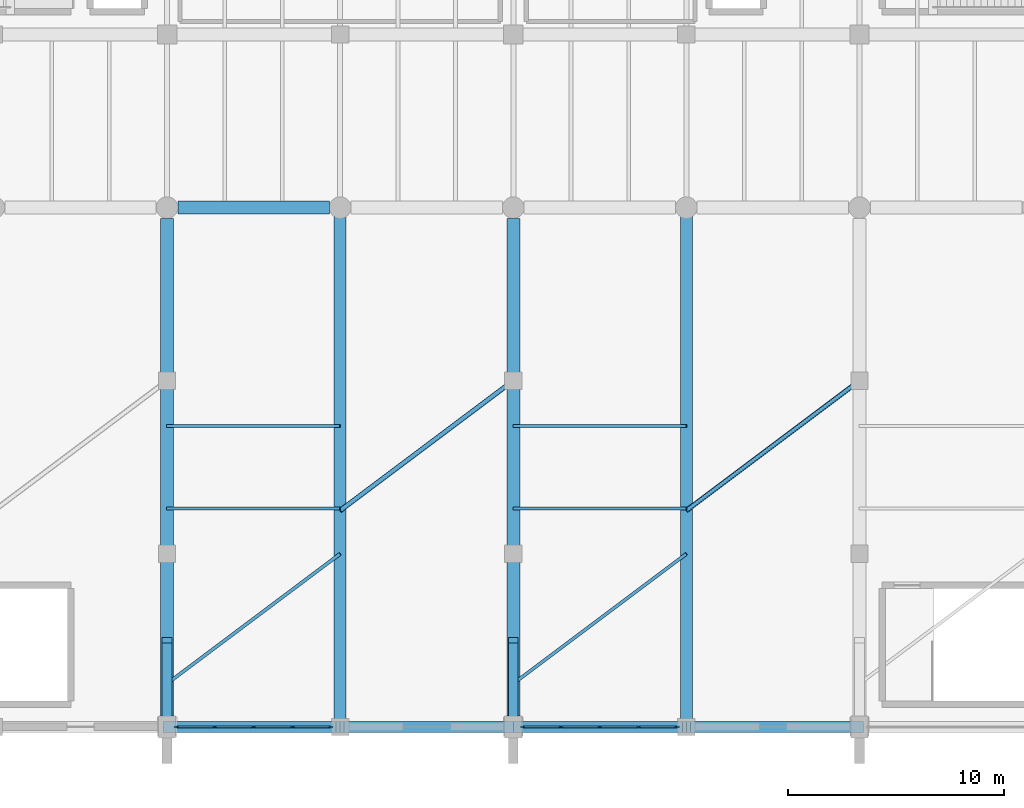
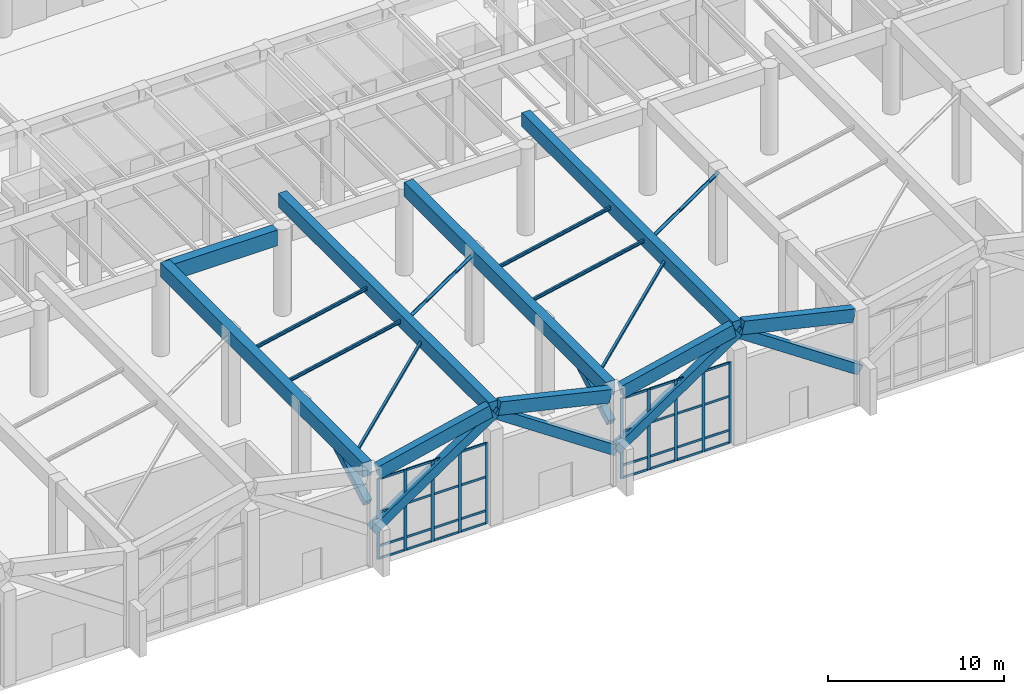
# One storey, part 13 of 51: 56 members, 9 beams, 2 elements without a shape of their own.
"""IFC4 building model written with IfcOpenShell, lengths in metres."""

from ifc_helpers import new_model, si_unit, direction, frame, origin, origin_2d, place, context, subcontext, project, spatial, rectangle, hollow_rectangle, hollow_circle, i_section, extrude, material, layer, layer_set, material_profile, profile_set, type_object, element, aggregate, save


model = new_model("IFC4")

# Units and contexts
model_context = context("Model", 3, precision=1e-05, world=origin(), true_north=direction((0.0, 1.0)))
body_context = subcontext(model_context, "Body", "Model", "MODEL_VIEW")
ifc_project = project(units=[si_unit("LENGTHUNIT", "METRE"), si_unit("AREAUNIT", "SQUARE_METRE"), si_unit("VOLUMEUNIT", "CUBIC_METRE"), si_unit("PLANEANGLEUNIT", "RADIAN"), si_unit("MASSUNIT", "GRAM", prefix="KILO")], contexts=[model_context])

# Site, building, storey
site_placement = place(None, origin())
site = spatial("IfcSite", under=ifc_project, at=site_placement, CompositionType="ELEMENT")
building_placement = place(site_placement, origin())
building = spatial("IfcBuilding", under=site, at=building_placement, Name="Varnela Railside Interchange", CompositionType="ELEMENT")
storey_placement = place(building_placement, origin())
storey = spatial("IfcBuildingStorey", under=building, at=storey_placement, Name="L00", CompositionType="ELEMENT", Elevation=0.0)

# Beams
ifc_material_1 = material(Name="Concrete C40", Category="concrete")
ifc_material_profile_1 = material_profile(ifc_material_1, rectangle(XDim=0.5, YDim=0.89990234375, at=origin_2d()), Name="RC 500x900")
ifc_profile_set_1 = profile_set([ifc_material_profile_1], Name="Concrete C40")
beam_type_1 = type_object("IfcBeamType", Name="Canopy Edge Chord Beam B-03", PredefinedType="BEAM", material=ifc_profile_set_1)
for number, where, z_axis, x_axis, name in (
    (1, (68.39990234375, 6.0, 6.14990234375), (0.974105883285, 0.0, 0.226092300067), (0.0, 1.0, 0.0), "Canopy Edge Chord Beam B-03 (L00) (BM-1396)"),
    (2, (76.27490234375, 6.0, 7.85009765625), (0.974105883285, 0.0, -0.226092300067), (0.0, 1.0, 0.0), "Canopy Edge Chord Beam B-03 (L00) (BM-1397)"),
    (3, (84.39990234375, 6.0, 6.14990234375), (0.974105883285, 0.0, 0.226092300067), (0.0, 1.0, 0.0), "Canopy Edge Chord Beam B-03 (L00) (BM-1398)"),
    (4, (92.27490234375, 6.0, 7.85009765625), (0.974105883285, 0.0, -0.226092300067), (0.0, 1.0, 0.0), "Canopy Edge Chord Beam B-03 (L00) (BM-1399)"),
):
    element("IfcBeam", number, at=place(storey_placement, frame(where, z_axis=z_axis, x_axis=x_axis)), inside=storey, type_object=beam_type_1, Name=name, PredefinedType="BEAM", context=body_context, shape_type="SweptSolid", body=[
        extrude(rectangle(XDim=0.5, YDim=0.89990234375, at=origin_2d()), origin(), (0.0, 0.0, 1.0), 7.52001953125),
    ])

# Members
ifc_material_2 = material(Name="Steel AR 350 (350 MPa)", Category="steel")
ifc_material_profile_2 = material_profile(ifc_material_2, hollow_circle(Radius=0.109619140625, WallThickness=0.012451171875, at=origin_2d()), Name="CHS 219.1x12.5")
ifc_profile_set_2 = profile_set([ifc_material_profile_2], Name="Steel AR 350 (350 MPa)")
member_type_1 = type_object("IfcMemberType", Name="Canopy Inclined Tie Strut BR-13", PredefinedType="STRUT", material=ifc_profile_set_2)
for number, where, z_axis, x_axis, name in (
    (5, (76.0, 16.0, 7.824951171875), (0.788358644975, 0.591268983731, -0.169975397545), (-0.6, 0.8, 0.0), "Canopy Inclined Tie Strut BR-13 (L00) (MB-0025)"),
    (6, (92.0, 16.0, 7.824951171875), (0.788358644975, 0.591268983731, -0.169975397545), (-0.6, 0.8, 0.0), "Canopy Inclined Tie Strut BR-13 (L00) (MB-0026)"),
):
    element("IfcMember", number, at=place(storey_placement, frame(where, z_axis=z_axis, x_axis=x_axis)), inside=storey, type_object=member_type_1, Name=name, PredefinedType="STRUT", context=body_context, shape_type="SweptSolid", body=[
        extrude(hollow_circle(Radius=0.109619140625, WallThickness=0.012451171875, at=origin_2d()), origin(), (0.0, 0.0, 1.0), 10.147705078125),
    ])
ifc_material_profile_3 = material_profile(ifc_material_2, hollow_rectangle(XDim=0.14990234375, YDim=0.14990234375, WallThickness=0.010009765625, at=origin_2d()), Name="HSS 150x150x10")
ifc_profile_set_3 = profile_set([ifc_material_profile_3], Name="Steel AR 350 (350 MPa)")
member_type_2 = type_object("IfcMemberType", Name="Canopy Plan Wind Brace BR-08", PredefinedType="BRACE", material=ifc_profile_set_3)
for number, where, z_axis, x_axis, name in (
    (7, (68.0, 8.0, 6.10009765625), (0.788358644975, 0.591268983731, 0.169975397545), (-0.6, 0.8, 0.0), "Canopy Plan Wind Brace BR-08 (L00) (MB-0031)"),
    (8, (84.0, 8.0, 6.10009765625), (0.788358644975, 0.591268983731, 0.169975397545), (-0.6, 0.8, 0.0), "Canopy Plan Wind Brace BR-08 (L00) (MB-0032)"),
):
    element("IfcMember", number, at=place(storey_placement, frame(where, z_axis=z_axis, x_axis=x_axis)), inside=storey, type_object=member_type_2, Name=name, PredefinedType="BRACE", context=body_context, shape_type="SweptSolid", body=[
        extrude(hollow_rectangle(XDim=0.14990234375, YDim=0.14990234375, WallThickness=0.010009765625, at=origin_2d()), origin(), (0.0, 0.0, 1.0), 10.147705078125),
    ])

# Beams
ifc_material_profile_4 = material_profile(ifc_material_1, rectangle(XDim=0.550048828125, YDim=0.949951171875, at=origin_2d()), Name="RC 550x950")
ifc_profile_set_4 = profile_set([ifc_material_profile_4], Name="Concrete C40")
beam_type_2 = type_object("IfcBeamType", Name="Canopy Ridge Girder B-04", PredefinedType="BEAM", material=ifc_profile_set_4)
for number, where, z_axis, x_axis, name in (
    (9, (76.0, 6.0, 7.824951171875), (0.0, 1.0, 0.0), (-1.0, 0.0, 0.0), "Canopy Ridge Girder B-04 (L00) (BM-1406)"),
    (10, (92.0, 6.0, 7.824951171875), (0.0, 1.0, 0.0), (-1.0, 0.0, 0.0), "Canopy Ridge Girder B-04 (L00) (BM-1407)"),
):
    element("IfcBeam", number, at=place(storey_placement, frame(where, z_axis=z_axis, x_axis=x_axis)), inside=storey, type_object=beam_type_2, Name=name, PredefinedType="BEAM", context=body_context, shape_type="SweptSolid", body=[
        extrude(rectangle(XDim=0.550048828125, YDim=0.949951171875, at=origin_2d()), origin(), (0.0, 0.0, 1.0), 24.0),
    ])
ifc_material_profile_5 = material_profile(ifc_material_1, rectangle(XDim=0.60009765625, YDim=1.0, at=origin_2d()), Name="RC 600x1000")
ifc_profile_set_5 = profile_set([ifc_material_profile_5], Name="Concrete C40")
beam_type_3 = type_object("IfcBeamType", Name="Canopy Valley Girder B-05", PredefinedType="BEAM", material=ifc_profile_set_5)
for number, where, z_axis, x_axis, name in (
    (11, (68.0, 6.5, 6.10009765625), (0.0, 1.0, 0.0), (-1.0, 0.0, 0.0), "Canopy Valley Girder B-05 (L00) (BM-1412)"),
    (12, (84.0, 6.5, 6.10009765625), (0.0, 1.0, 0.0), (-1.0, 0.0, 0.0), "Canopy Valley Girder B-05 (L00) (BM-1413)"),
):
    element("IfcBeam", number, at=place(storey_placement, frame(where, z_axis=z_axis, x_axis=x_axis)), inside=storey, type_object=beam_type_3, Name=name, PredefinedType="BEAM", context=body_context, shape_type="SweptSolid", body=[
        extrude(rectangle(XDim=0.60009765625, YDim=1.0, at=origin_2d()), origin(), (0.0, 0.0, 1.0), 23.0),
    ])
ifc_material_3 = material(Name="Concrete C50", Category="concrete")
ifc_material_profile_6 = material_profile(ifc_material_3, rectangle(XDim=0.60009765625, YDim=1.10009765625, at=origin_2d()), Name="RC 600x1100")
ifc_profile_set_6 = profile_set([ifc_material_profile_6], Name="Concrete C50")
beam_type_4 = type_object("IfcBeamType", Name="Concourse RC Girder B-06", PredefinedType="BEAM", material=ifc_profile_set_6)
beam_placement = place(storey_placement, frame((68.5, 30.0, 5.469970703125), z_axis=(1.0, 0.0, 0.0), x_axis=(0.0, 1.0, 0.0)))
element("IfcBeam", 13, at=beam_placement, inside=storey, type_object=beam_type_4, Name="Concourse RC Girder B-06 (L00) (BM-1197)", PredefinedType="BEAM", context=body_context, shape_type="SweptSolid", body=[
    extrude(rectangle(XDim=0.60009765625, YDim=1.10009765625, at=origin_2d()), origin(), (0.0, 0.0, 1.0), 7.0),
])

# Curtain wall, members
ifc_material_4 = material(Name="Aluminium 6063-T6", Category="aluminium")
ifc_layer = layer(ifc_material_4, 0.035888671875)
ifc_layer_set = layer_set([ifc_layer], Name="Aluminium 6063-T6")
curtain_wall_type = type_object("IfcCurtainWallType", Name="Arrival Forecourt Portal Curtain Wall CW-04", PredefinedType="USERDEFINED", material=ifc_layer_set)
curtain_wall_1_placement = place(storey_placement, origin())
curtain_wall_1 = element("IfcCurtainWall", 14, at=curtain_wall_1_placement, inside=storey, type_object=curtain_wall_type, Name="Curtain Wall CW-04 (L00) (CW-013)", ObjectType="CURTAIN WALL", PredefinedType="USERDEFINED")
ifc_material_profile_7 = material_profile(ifc_material_4, rectangle(XDim=0.074951171875, YDim=0.199951171875, at=origin_2d()), Name="ALU 75x200")
ifc_profile_set_7 = profile_set([ifc_material_profile_7], Name="Aluminium 6063-T6")
member_type_3 = type_object("IfcMemberType", Name="Portal Heavy Mullion ML-04", PredefinedType="MULLION", material=ifc_profile_set_7)
member_1_placement = place(storey_placement, frame((91.5625, 6.0, 0.0), z_axis=(0.0, 0.0, 1.0), x_axis=(0.0, -1.0, 0.0)))
member_1 = element("IfcMember", 15, at=member_1_placement, type_object=member_type_3, Name="CW-04 mullion 1", PredefinedType="MULLION", context=body_context, shape_type="SweptSolid", body=[
    extrude(rectangle(XDim=0.074951171875, YDim=0.199951171875, at=origin_2d()), origin(), (0.0, 0.0, 1.0), 5.60009765625),
])
member_2_placement = place(storey_placement, frame((89.800048828125, 6.0, 0.0), z_axis=(0.0, 0.0, 1.0), x_axis=(0.0, -1.0, 0.0)))
member_2 = element("IfcMember", 16, at=member_2_placement, type_object=member_type_3, Name="CW-04 mullion 2", PredefinedType="MULLION", context=body_context, shape_type="SweptSolid", body=[
    extrude(rectangle(XDim=0.074951171875, YDim=0.199951171875, at=origin_2d()), origin(), (0.0, 0.0, 1.0), 5.60009765625),
])
member_3_placement = place(storey_placement, frame((88.0, 6.0, 0.0), z_axis=(0.0, 0.0, 1.0), x_axis=(0.0, -1.0, 0.0)))
member_3 = element("IfcMember", 17, at=member_3_placement, type_object=member_type_3, Name="CW-04 mullion 3", PredefinedType="MULLION", context=body_context, shape_type="SweptSolid", body=[
    extrude(rectangle(XDim=0.074951171875, YDim=0.199951171875, at=origin_2d()), origin(), (0.0, 0.0, 1.0), 5.60009765625),
])
member_4_placement = place(storey_placement, frame((86.199951171875, 6.0, 0.0), z_axis=(0.0, 0.0, 1.0), x_axis=(0.0, -1.0, 0.0)))
member_4 = element("IfcMember", 18, at=member_4_placement, type_object=member_type_3, Name="CW-04 mullion 4", PredefinedType="MULLION", context=body_context, shape_type="SweptSolid", body=[
    extrude(rectangle(XDim=0.074951171875, YDim=0.199951171875, at=origin_2d()), origin(), (0.0, 0.0, 1.0), 5.60009765625),
])
member_5_placement = place(storey_placement, frame((84.4375, 6.0, 0.0), z_axis=(0.0, 0.0, 1.0), x_axis=(0.0, -1.0, 0.0)))
member_5 = element("IfcMember", 19, at=member_5_placement, type_object=member_type_3, Name="CW-04 mullion 5", PredefinedType="MULLION", context=body_context, shape_type="SweptSolid", body=[
    extrude(rectangle(XDim=0.074951171875, YDim=0.199951171875, at=origin_2d()), origin(), (0.0, 0.0, 1.0), 5.60009765625),
])

curtain_wall_2_placement = place(storey_placement, origin())
curtain_wall_2 = element("IfcCurtainWall", 20, at=curtain_wall_2_placement, inside=storey, type_object=curtain_wall_type, Name="Curtain Wall CW-04 (L00) (CW-014)", ObjectType="CURTAIN WALL", PredefinedType="USERDEFINED")
member_6_placement = place(storey_placement, frame((75.5625, 6.0, 0.0), z_axis=(0.0, 0.0, 1.0), x_axis=(0.0, -1.0, 0.0)))
member_6 = element("IfcMember", 21, at=member_6_placement, type_object=member_type_3, Name="CW-04 mullion 1", PredefinedType="MULLION", context=body_context, shape_type="SweptSolid", body=[
    extrude(rectangle(XDim=0.074951171875, YDim=0.199951171875, at=origin_2d()), origin(), (0.0, 0.0, 1.0), 5.60009765625),
])
member_7_placement = place(storey_placement, frame((73.800048828125, 6.0, 0.0), z_axis=(0.0, 0.0, 1.0), x_axis=(0.0, -1.0, 0.0)))
member_7 = element("IfcMember", 22, at=member_7_placement, type_object=member_type_3, Name="CW-04 mullion 2", PredefinedType="MULLION", context=body_context, shape_type="SweptSolid", body=[
    extrude(rectangle(XDim=0.074951171875, YDim=0.199951171875, at=origin_2d()), origin(), (0.0, 0.0, 1.0), 5.60009765625),
])
member_8_placement = place(storey_placement, frame((72.0, 6.0, 0.0), z_axis=(0.0, 0.0, 1.0), x_axis=(0.0, -1.0, 0.0)))
member_8 = element("IfcMember", 23, at=member_8_placement, type_object=member_type_3, Name="CW-04 mullion 3", PredefinedType="MULLION", context=body_context, shape_type="SweptSolid", body=[
    extrude(rectangle(XDim=0.074951171875, YDim=0.199951171875, at=origin_2d()), origin(), (0.0, 0.0, 1.0), 5.60009765625),
])
member_9_placement = place(storey_placement, frame((70.199951171875, 6.0, 0.0), z_axis=(0.0, 0.0, 1.0), x_axis=(0.0, -1.0, 0.0)))
member_9 = element("IfcMember", 24, at=member_9_placement, type_object=member_type_3, Name="CW-04 mullion 4", PredefinedType="MULLION", context=body_context, shape_type="SweptSolid", body=[
    extrude(rectangle(XDim=0.074951171875, YDim=0.199951171875, at=origin_2d()), origin(), (0.0, 0.0, 1.0), 5.60009765625),
])
member_10_placement = place(storey_placement, frame((68.4375, 6.0, 0.0), z_axis=(0.0, 0.0, 1.0), x_axis=(0.0, -1.0, 0.0)))
member_10 = element("IfcMember", 25, at=member_10_placement, type_object=member_type_3, Name="CW-04 mullion 5", PredefinedType="MULLION", context=body_context, shape_type="SweptSolid", body=[
    extrude(rectangle(XDim=0.074951171875, YDim=0.199951171875, at=origin_2d()), origin(), (0.0, 0.0, 1.0), 5.60009765625),
])

# Member
ifc_material_profile_8 = material_profile(ifc_material_4, rectangle(XDim=0.074951171875, YDim=0.14990234375, at=origin_2d()), Name="ALU 75x150")
ifc_profile_set_8 = profile_set([ifc_material_profile_8], Name="Aluminium 6063-T6")
member_type_4 = type_object("IfcMemberType", Name="Portal Heavy Transom TR-04", PredefinedType="USERDEFINED", material=ifc_profile_set_8)
member_11_placement = place(storey_placement, frame((91.52490234375, 6.0, 0.03759765625), z_axis=(-1.0, 0.0, 0.0), x_axis=(0.0, -1.0, 0.0)))
member_11 = element("IfcMember", 26, at=member_11_placement, type_object=member_type_4, Name="CW-04 transom 1.1", ObjectType="TRANSOM", PredefinedType="USERDEFINED", context=body_context, shape_type="SweptSolid", body=[
    extrude(rectangle(XDim=0.074951171875, YDim=0.14990234375, at=origin_2d()), origin(), (0.0, 0.0, 1.0), 1.6875),
])

member_12_placement = place(storey_placement, frame((91.52490234375, 6.0, 0.89990234375), z_axis=(-1.0, 0.0, 0.0), x_axis=(0.0, -1.0, 0.0)))
member_12 = element("IfcMember", 27, at=member_12_placement, type_object=member_type_4, Name="CW-04 transom 1.2", ObjectType="TRANSOM", PredefinedType="USERDEFINED", context=body_context, shape_type="SweptSolid", body=[
    extrude(rectangle(XDim=0.074951171875, YDim=0.14990234375, at=origin_2d()), origin(), (0.0, 0.0, 1.0), 1.6875),
])

member_13_placement = place(storey_placement, frame((91.52490234375, 6.0, 3.248046875), z_axis=(-1.0, 0.0, 0.0), x_axis=(0.0, -1.0, 0.0)))
member_13 = element("IfcMember", 28, at=member_13_placement, type_object=member_type_4, Name="CW-04 transom 1.3", ObjectType="TRANSOM", PredefinedType="USERDEFINED", context=body_context, shape_type="SweptSolid", body=[
    extrude(rectangle(XDim=0.074951171875, YDim=0.14990234375, at=origin_2d()), origin(), (0.0, 0.0, 1.0), 1.6875),
])

member_14_placement = place(storey_placement, frame((91.52490234375, 6.0, 5.5625), z_axis=(-1.0, 0.0, 0.0), x_axis=(0.0, -1.0, 0.0)))
member_14 = element("IfcMember", 29, at=member_14_placement, type_object=member_type_4, Name="CW-04 transom 1.4", ObjectType="TRANSOM", PredefinedType="USERDEFINED", context=body_context, shape_type="SweptSolid", body=[
    extrude(rectangle(XDim=0.074951171875, YDim=0.14990234375, at=origin_2d()), origin(), (0.0, 0.0, 1.0), 1.6875),
])

member_15_placement = place(storey_placement, frame((89.762451171875, 6.0, 0.03759765625), z_axis=(-1.0, 0.0, 0.0), x_axis=(0.0, -1.0, 0.0)))
member_15 = element("IfcMember", 30, at=member_15_placement, type_object=member_type_4, Name="CW-04 transom 2.1", ObjectType="TRANSOM", PredefinedType="USERDEFINED", context=body_context, shape_type="SweptSolid", body=[
    extrude(rectangle(XDim=0.074951171875, YDim=0.14990234375, at=origin_2d()), origin(), (0.0, 0.0, 1.0), 1.724853515625),
])

member_16_placement = place(storey_placement, frame((89.762451171875, 6.0, 0.89990234375), z_axis=(-1.0, 0.0, 0.0), x_axis=(0.0, -1.0, 0.0)))
member_16 = element("IfcMember", 31, at=member_16_placement, type_object=member_type_4, Name="CW-04 transom 2.2", ObjectType="TRANSOM", PredefinedType="USERDEFINED", context=body_context, shape_type="SweptSolid", body=[
    extrude(rectangle(XDim=0.074951171875, YDim=0.14990234375, at=origin_2d()), origin(), (0.0, 0.0, 1.0), 1.724853515625),
])

member_17_placement = place(storey_placement, frame((89.762451171875, 6.0, 3.248046875), z_axis=(-1.0, 0.0, 0.0), x_axis=(0.0, -1.0, 0.0)))
member_17 = element("IfcMember", 32, at=member_17_placement, type_object=member_type_4, Name="CW-04 transom 2.3", ObjectType="TRANSOM", PredefinedType="USERDEFINED", context=body_context, shape_type="SweptSolid", body=[
    extrude(rectangle(XDim=0.074951171875, YDim=0.14990234375, at=origin_2d()), origin(), (0.0, 0.0, 1.0), 1.724853515625),
])

member_18_placement = place(storey_placement, frame((89.762451171875, 6.0, 5.5625), z_axis=(-1.0, 0.0, 0.0), x_axis=(0.0, -1.0, 0.0)))
member_18 = element("IfcMember", 33, at=member_18_placement, type_object=member_type_4, Name="CW-04 transom 2.4", ObjectType="TRANSOM", PredefinedType="USERDEFINED", context=body_context, shape_type="SweptSolid", body=[
    extrude(rectangle(XDim=0.074951171875, YDim=0.14990234375, at=origin_2d()), origin(), (0.0, 0.0, 1.0), 1.724853515625),
])

member_19_placement = place(storey_placement, frame((87.96240234375, 6.0, 0.03759765625), z_axis=(-1.0, 0.0, 0.0), x_axis=(0.0, -1.0, 0.0)))
member_19 = element("IfcMember", 34, at=member_19_placement, type_object=member_type_4, Name="CW-04 transom 3.1", ObjectType="TRANSOM", PredefinedType="USERDEFINED", context=body_context, shape_type="SweptSolid", body=[
    extrude(rectangle(XDim=0.074951171875, YDim=0.14990234375, at=origin_2d()), origin(), (0.0, 0.0, 1.0), 1.724853515625),
])

member_20_placement = place(storey_placement, frame((87.96240234375, 6.0, 0.89990234375), z_axis=(-1.0, 0.0, 0.0), x_axis=(0.0, -1.0, 0.0)))
member_20 = element("IfcMember", 35, at=member_20_placement, type_object=member_type_4, Name="CW-04 transom 3.2", ObjectType="TRANSOM", PredefinedType="USERDEFINED", context=body_context, shape_type="SweptSolid", body=[
    extrude(rectangle(XDim=0.074951171875, YDim=0.14990234375, at=origin_2d()), origin(), (0.0, 0.0, 1.0), 1.724853515625),
])

member_21_placement = place(storey_placement, frame((87.96240234375, 6.0, 3.248046875), z_axis=(-1.0, 0.0, 0.0), x_axis=(0.0, -1.0, 0.0)))
member_21 = element("IfcMember", 36, at=member_21_placement, type_object=member_type_4, Name="CW-04 transom 3.3", ObjectType="TRANSOM", PredefinedType="USERDEFINED", context=body_context, shape_type="SweptSolid", body=[
    extrude(rectangle(XDim=0.074951171875, YDim=0.14990234375, at=origin_2d()), origin(), (0.0, 0.0, 1.0), 1.724853515625),
])

member_22_placement = place(storey_placement, frame((87.96240234375, 6.0, 5.5625), z_axis=(-1.0, 0.0, 0.0), x_axis=(0.0, -1.0, 0.0)))
member_22 = element("IfcMember", 37, at=member_22_placement, type_object=member_type_4, Name="CW-04 transom 3.4", ObjectType="TRANSOM", PredefinedType="USERDEFINED", context=body_context, shape_type="SweptSolid", body=[
    extrude(rectangle(XDim=0.074951171875, YDim=0.14990234375, at=origin_2d()), origin(), (0.0, 0.0, 1.0), 1.724853515625),
])

member_23_placement = place(storey_placement, frame((86.16259765625, 6.0, 0.03759765625), z_axis=(-1.0, 0.0, 0.0), x_axis=(0.0, -1.0, 0.0)))
member_23 = element("IfcMember", 38, at=member_23_placement, type_object=member_type_4, Name="CW-04 transom 4.1", ObjectType="TRANSOM", PredefinedType="USERDEFINED", context=body_context, shape_type="SweptSolid", body=[
    extrude(rectangle(XDim=0.074951171875, YDim=0.14990234375, at=origin_2d()), origin(), (0.0, 0.0, 1.0), 1.6875),
])

member_24_placement = place(storey_placement, frame((86.16259765625, 6.0, 0.89990234375), z_axis=(-1.0, 0.0, 0.0), x_axis=(0.0, -1.0, 0.0)))
member_24 = element("IfcMember", 39, at=member_24_placement, type_object=member_type_4, Name="CW-04 transom 4.2", ObjectType="TRANSOM", PredefinedType="USERDEFINED", context=body_context, shape_type="SweptSolid", body=[
    extrude(rectangle(XDim=0.074951171875, YDim=0.14990234375, at=origin_2d()), origin(), (0.0, 0.0, 1.0), 1.6875),
])

member_25_placement = place(storey_placement, frame((86.16259765625, 6.0, 3.248046875), z_axis=(-1.0, 0.0, 0.0), x_axis=(0.0, -1.0, 0.0)))
member_25 = element("IfcMember", 40, at=member_25_placement, type_object=member_type_4, Name="CW-04 transom 4.3", ObjectType="TRANSOM", PredefinedType="USERDEFINED", context=body_context, shape_type="SweptSolid", body=[
    extrude(rectangle(XDim=0.074951171875, YDim=0.14990234375, at=origin_2d()), origin(), (0.0, 0.0, 1.0), 1.6875),
])

member_26_placement = place(storey_placement, frame((86.16259765625, 6.0, 5.5625), z_axis=(-1.0, 0.0, 0.0), x_axis=(0.0, -1.0, 0.0)))
member_26 = element("IfcMember", 41, at=member_26_placement, type_object=member_type_4, Name="CW-04 transom 4.4", ObjectType="TRANSOM", PredefinedType="USERDEFINED", context=body_context, shape_type="SweptSolid", body=[
    extrude(rectangle(XDim=0.074951171875, YDim=0.14990234375, at=origin_2d()), origin(), (0.0, 0.0, 1.0), 1.6875),
])

aggregate(curtain_wall_1, [member_1, member_2, member_3, member_4, member_5, member_11, member_12, member_13, member_14, member_15, member_16, member_17, member_18, member_19, member_20, member_21, member_22, member_23, member_24, member_25, member_26])

member_27_placement = place(storey_placement, frame((75.52490234375, 6.0, 0.03759765625), z_axis=(-1.0, 0.0, 0.0), x_axis=(0.0, -1.0, 0.0)))
member_27 = element("IfcMember", 42, at=member_27_placement, type_object=member_type_4, Name="CW-04 transom 1.1", ObjectType="TRANSOM", PredefinedType="USERDEFINED", context=body_context, shape_type="SweptSolid", body=[
    extrude(rectangle(XDim=0.074951171875, YDim=0.14990234375, at=origin_2d()), origin(), (0.0, 0.0, 1.0), 1.6875),
])

member_28_placement = place(storey_placement, frame((75.52490234375, 6.0, 0.89990234375), z_axis=(-1.0, 0.0, 0.0), x_axis=(0.0, -1.0, 0.0)))
member_28 = element("IfcMember", 43, at=member_28_placement, type_object=member_type_4, Name="CW-04 transom 1.2", ObjectType="TRANSOM", PredefinedType="USERDEFINED", context=body_context, shape_type="SweptSolid", body=[
    extrude(rectangle(XDim=0.074951171875, YDim=0.14990234375, at=origin_2d()), origin(), (0.0, 0.0, 1.0), 1.6875),
])

member_29_placement = place(storey_placement, frame((75.52490234375, 6.0, 3.248046875), z_axis=(-1.0, 0.0, 0.0), x_axis=(0.0, -1.0, 0.0)))
member_29 = element("IfcMember", 44, at=member_29_placement, type_object=member_type_4, Name="CW-04 transom 1.3", ObjectType="TRANSOM", PredefinedType="USERDEFINED", context=body_context, shape_type="SweptSolid", body=[
    extrude(rectangle(XDim=0.074951171875, YDim=0.14990234375, at=origin_2d()), origin(), (0.0, 0.0, 1.0), 1.6875),
])

member_30_placement = place(storey_placement, frame((75.52490234375, 6.0, 5.5625), z_axis=(-1.0, 0.0, 0.0), x_axis=(0.0, -1.0, 0.0)))
member_30 = element("IfcMember", 45, at=member_30_placement, type_object=member_type_4, Name="CW-04 transom 1.4", ObjectType="TRANSOM", PredefinedType="USERDEFINED", context=body_context, shape_type="SweptSolid", body=[
    extrude(rectangle(XDim=0.074951171875, YDim=0.14990234375, at=origin_2d()), origin(), (0.0, 0.0, 1.0), 1.6875),
])

member_31_placement = place(storey_placement, frame((73.762451171875, 6.0, 0.03759765625), z_axis=(-1.0, 0.0, 0.0), x_axis=(0.0, -1.0, 0.0)))
member_31 = element("IfcMember", 46, at=member_31_placement, type_object=member_type_4, Name="CW-04 transom 2.1", ObjectType="TRANSOM", PredefinedType="USERDEFINED", context=body_context, shape_type="SweptSolid", body=[
    extrude(rectangle(XDim=0.074951171875, YDim=0.14990234375, at=origin_2d()), origin(), (0.0, 0.0, 1.0), 1.724853515625),
])

member_32_placement = place(storey_placement, frame((73.762451171875, 6.0, 0.89990234375), z_axis=(-1.0, 0.0, 0.0), x_axis=(0.0, -1.0, 0.0)))
member_32 = element("IfcMember", 47, at=member_32_placement, type_object=member_type_4, Name="CW-04 transom 2.2", ObjectType="TRANSOM", PredefinedType="USERDEFINED", context=body_context, shape_type="SweptSolid", body=[
    extrude(rectangle(XDim=0.074951171875, YDim=0.14990234375, at=origin_2d()), origin(), (0.0, 0.0, 1.0), 1.724853515625),
])

member_33_placement = place(storey_placement, frame((73.762451171875, 6.0, 3.248046875), z_axis=(-1.0, 0.0, 0.0), x_axis=(0.0, -1.0, 0.0)))
member_33 = element("IfcMember", 48, at=member_33_placement, type_object=member_type_4, Name="CW-04 transom 2.3", ObjectType="TRANSOM", PredefinedType="USERDEFINED", context=body_context, shape_type="SweptSolid", body=[
    extrude(rectangle(XDim=0.074951171875, YDim=0.14990234375, at=origin_2d()), origin(), (0.0, 0.0, 1.0), 1.724853515625),
])

member_34_placement = place(storey_placement, frame((73.762451171875, 6.0, 5.5625), z_axis=(-1.0, 0.0, 0.0), x_axis=(0.0, -1.0, 0.0)))
member_34 = element("IfcMember", 49, at=member_34_placement, type_object=member_type_4, Name="CW-04 transom 2.4", ObjectType="TRANSOM", PredefinedType="USERDEFINED", context=body_context, shape_type="SweptSolid", body=[
    extrude(rectangle(XDim=0.074951171875, YDim=0.14990234375, at=origin_2d()), origin(), (0.0, 0.0, 1.0), 1.724853515625),
])

member_35_placement = place(storey_placement, frame((71.96240234375, 6.0, 0.03759765625), z_axis=(-1.0, 0.0, 0.0), x_axis=(0.0, -1.0, 0.0)))
member_35 = element("IfcMember", 50, at=member_35_placement, type_object=member_type_4, Name="CW-04 transom 3.1", ObjectType="TRANSOM", PredefinedType="USERDEFINED", context=body_context, shape_type="SweptSolid", body=[
    extrude(rectangle(XDim=0.074951171875, YDim=0.14990234375, at=origin_2d()), origin(), (0.0, 0.0, 1.0), 1.724853515625),
])

member_36_placement = place(storey_placement, frame((71.96240234375, 6.0, 0.89990234375), z_axis=(-1.0, 0.0, 0.0), x_axis=(0.0, -1.0, 0.0)))
member_36 = element("IfcMember", 51, at=member_36_placement, type_object=member_type_4, Name="CW-04 transom 3.2", ObjectType="TRANSOM", PredefinedType="USERDEFINED", context=body_context, shape_type="SweptSolid", body=[
    extrude(rectangle(XDim=0.074951171875, YDim=0.14990234375, at=origin_2d()), origin(), (0.0, 0.0, 1.0), 1.724853515625),
])

member_37_placement = place(storey_placement, frame((71.96240234375, 6.0, 3.248046875), z_axis=(-1.0, 0.0, 0.0), x_axis=(0.0, -1.0, 0.0)))
member_37 = element("IfcMember", 52, at=member_37_placement, type_object=member_type_4, Name="CW-04 transom 3.3", ObjectType="TRANSOM", PredefinedType="USERDEFINED", context=body_context, shape_type="SweptSolid", body=[
    extrude(rectangle(XDim=0.074951171875, YDim=0.14990234375, at=origin_2d()), origin(), (0.0, 0.0, 1.0), 1.724853515625),
])

member_38_placement = place(storey_placement, frame((71.96240234375, 6.0, 5.5625), z_axis=(-1.0, 0.0, 0.0), x_axis=(0.0, -1.0, 0.0)))
member_38 = element("IfcMember", 53, at=member_38_placement, type_object=member_type_4, Name="CW-04 transom 3.4", ObjectType="TRANSOM", PredefinedType="USERDEFINED", context=body_context, shape_type="SweptSolid", body=[
    extrude(rectangle(XDim=0.074951171875, YDim=0.14990234375, at=origin_2d()), origin(), (0.0, 0.0, 1.0), 1.724853515625),
])

member_39_placement = place(storey_placement, frame((70.16259765625, 6.0, 0.03759765625), z_axis=(-1.0, 0.0, 0.0), x_axis=(0.0, -1.0, 0.0)))
member_39 = element("IfcMember", 54, at=member_39_placement, type_object=member_type_4, Name="CW-04 transom 4.1", ObjectType="TRANSOM", PredefinedType="USERDEFINED", context=body_context, shape_type="SweptSolid", body=[
    extrude(rectangle(XDim=0.074951171875, YDim=0.14990234375, at=origin_2d()), origin(), (0.0, 0.0, 1.0), 1.6875),
])

member_40_placement = place(storey_placement, frame((70.16259765625, 6.0, 0.89990234375), z_axis=(-1.0, 0.0, 0.0), x_axis=(0.0, -1.0, 0.0)))
member_40 = element("IfcMember", 55, at=member_40_placement, type_object=member_type_4, Name="CW-04 transom 4.2", ObjectType="TRANSOM", PredefinedType="USERDEFINED", context=body_context, shape_type="SweptSolid", body=[
    extrude(rectangle(XDim=0.074951171875, YDim=0.14990234375, at=origin_2d()), origin(), (0.0, 0.0, 1.0), 1.6875),
])

member_41_placement = place(storey_placement, frame((70.16259765625, 6.0, 3.248046875), z_axis=(-1.0, 0.0, 0.0), x_axis=(0.0, -1.0, 0.0)))
member_41 = element("IfcMember", 56, at=member_41_placement, type_object=member_type_4, Name="CW-04 transom 4.3", ObjectType="TRANSOM", PredefinedType="USERDEFINED", context=body_context, shape_type="SweptSolid", body=[
    extrude(rectangle(XDim=0.074951171875, YDim=0.14990234375, at=origin_2d()), origin(), (0.0, 0.0, 1.0), 1.6875),
])

member_42_placement = place(storey_placement, frame((70.16259765625, 6.0, 5.5625), z_axis=(-1.0, 0.0, 0.0), x_axis=(0.0, -1.0, 0.0)))
member_42 = element("IfcMember", 57, at=member_42_placement, type_object=member_type_4, Name="CW-04 transom 4.4", ObjectType="TRANSOM", PredefinedType="USERDEFINED", context=body_context, shape_type="SweptSolid", body=[
    extrude(rectangle(XDim=0.074951171875, YDim=0.14990234375, at=origin_2d()), origin(), (0.0, 0.0, 1.0), 1.6875),
])

aggregate(curtain_wall_2, [member_6, member_7, member_8, member_9, member_10, member_27, member_28, member_29, member_30, member_31, member_32, member_33, member_34, member_35, member_36, member_37, member_38, member_39, member_40, member_41, member_42])

# Members
ifc_material_profile_9 = material_profile(ifc_material_3, rectangle(XDim=0.449951171875, YDim=0.5, at=origin_2d()), Name="RC 450x500")
ifc_profile_set_9 = profile_set([ifc_material_profile_9], Name="Concrete C50")
member_type_5 = type_object("IfcMemberType", Name="Sculpted Canopy Knee Strut VP-03", PredefinedType="STRUT", material=ifc_profile_set_9)
for number, where, z_axis, x_axis, name in (
    (58, (68.0, 6.449951171875, 3.800048828125), (0.0, 0.871250514853, 0.490838609289), (-1.0, 0.0, 0.0), "Sculpted Canopy Knee Strut VP-03 (L00) (MB-0062)"),
    (59, (84.0, 6.449951171875, 3.800048828125), (0.0, 0.871250514853, 0.490838609289), (-1.0, 0.0, 0.0), "Sculpted Canopy Knee Strut VP-03 (L00) (MB-0063)"),
):
    element("IfcMember", number, at=place(storey_placement, frame(where, z_axis=z_axis, x_axis=x_axis)), inside=storey, type_object=member_type_5, Name=name, PredefinedType="STRUT", context=body_context, shape_type="SweptSolid", body=[
        extrude(rectangle(XDim=0.449951171875, YDim=0.5, at=origin_2d()), origin(), (0.0, 0.0, 1.0), 4.07470703125),
    ])
ifc_material_profile_10 = material_profile(ifc_material_3, rectangle(XDim=0.5, YDim=0.64990234375, at=origin_2d()), Name="RC 500x650")
ifc_profile_set_10 = profile_set([ifc_material_profile_10], Name="Concrete C50")
member_type_6 = type_object("IfcMemberType", Name="Sculpted V-Pier Primary Strut VP-01", PredefinedType="STRUT", material=ifc_profile_set_10)
for number, where, z_axis, x_axis, name in (
    (60, (68.0, 6.0, 2.199951171875), (0.828841636369, 0.0, 0.559483281092), (0.0, 1.0, 0.0), "Sculpted V-Pier Primary Strut VP-01 (L00) (MB-0050)"),
    (61, (84.0, 6.0, 2.199951171875), (0.828841636369, 0.0, 0.559483281092), (0.0, 1.0, 0.0), "Sculpted V-Pier Primary Strut VP-01 (L00) (MB-0051)"),
    (62, (84.0, 6.0, 2.199951171875), (-0.828841636369, 0.0, 0.559483281092), (0.0, -1.0, 0.0), "Sculpted V-Pier Primary Strut VP-01 (L00) (MB-0056)"),
    (63, (100.0, 6.0, 2.199951171875), (-0.828841636369, 0.0, 0.559483281092), (0.0, -1.0, 0.0), "Sculpted V-Pier Primary Strut VP-01 (L00) (MB-0057)"),
):
    element("IfcMember", number, at=place(storey_placement, frame(where, z_axis=z_axis, x_axis=x_axis)), inside=storey, type_object=member_type_6, Name=name, PredefinedType="STRUT", context=body_context, shape_type="SweptSolid", body=[
        extrude(rectangle(XDim=0.5, YDim=0.64990234375, at=origin_2d()), origin(), (0.0, 0.0, 1.0), 9.652099609375),
    ])
ifc_material_profile_11 = material_profile(ifc_material_2, i_section(OverallWidth=0.133056640625, OverallDepth=0.20703125, WebThickness=0.005859375, FlangeThickness=0.00830078125, at=origin_2d()), Name="W200x26.6")
ifc_profile_set_11 = profile_set([ifc_material_profile_11], Name="Steel AR 350 (350 MPa)")
member_type_7 = type_object("IfcMemberType", Name="Skylight Curb Purlin PR-01", PredefinedType="PURLIN", material=ifc_profile_set_11)
for number, where, z_axis, x_axis, name in (
    (64, (68.0, 16.10009765625, 6.199951171875), (0.978160064759, 0.0, 0.207853043546), (0.0, 1.0, 0.0), "Skylight Curb Purlin PR-01 (L00) (MB-0016)"),
    (65, (68.0, 19.89990234375, 6.199951171875), (0.978160064759, 0.0, 0.207853043546), (0.0, 1.0, 0.0), "Skylight Curb Purlin PR-01 (L00) (MB-0015)"),
    (66, (84.0, 16.10009765625, 6.199951171875), (0.978160064759, 0.0, 0.207853043546), (0.0, 1.0, 0.0), "Skylight Curb Purlin PR-01 (L00) (MB-0018)"),
    (67, (84.0, 19.89990234375, 6.199951171875), (0.978160064759, 0.0, 0.207853043546), (0.0, 1.0, 0.0), "Skylight Curb Purlin PR-01 (L00) (MB-0017)"),
):
    element("IfcMember", number, at=place(storey_placement, frame(where, z_axis=z_axis, x_axis=x_axis)), inside=storey, type_object=member_type_7, Name=name, PredefinedType="PURLIN", context=body_context, shape_type="SweptSolid", body=[
        extrude(i_section(OverallWidth=0.133056640625, OverallDepth=0.20703125, WebThickness=0.005859375, FlangeThickness=0.00830078125, at=origin_2d()), origin(), (0.0, 0.0, 1.0), 8.1787109375),
    ])

save(model, "model.ifc")
